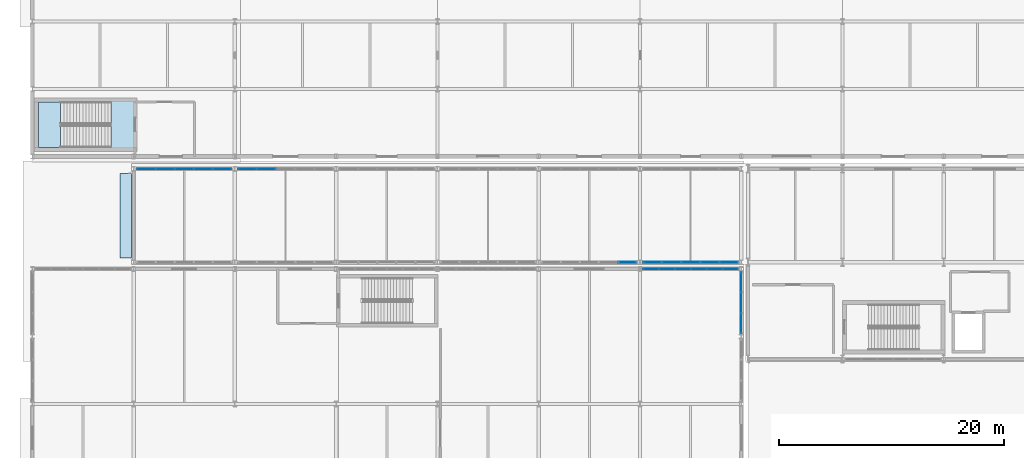
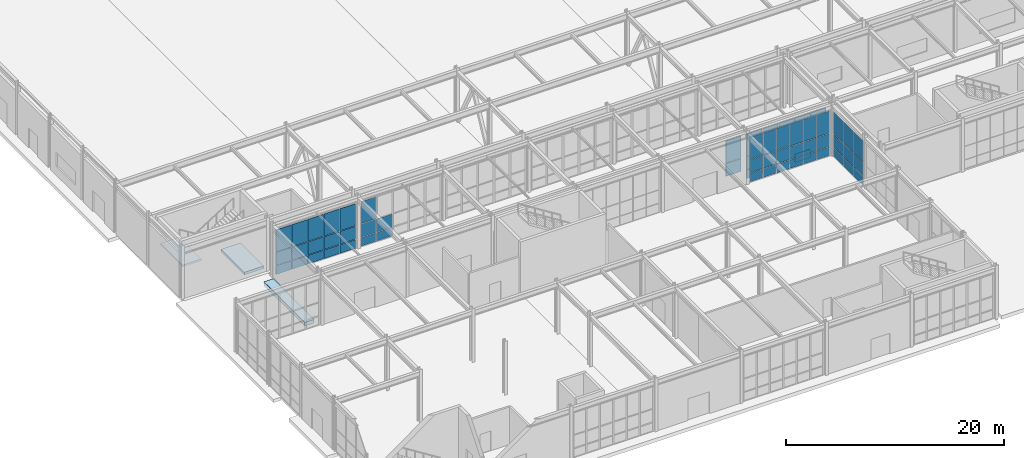
# One storey, part 105 of 146: 64 plates, 3 slabs, 7 elements without a shape of their own.
"""IFC4 building model written with IfcOpenShell, lengths in metres."""

from ifc_helpers import new_model, si_unit, direction, frame, origin, origin_2d, place, context, subcontext, project, spatial, polyline, rectangle, outline, extrude, material, layer, layer_set, type_object, element, aggregate, save


model = new_model("IFC4")

# Units and contexts
model_context = context("Model", 3, precision=1e-05, world=origin(), true_north=direction((0.0, 1.0)))
body_context = subcontext(model_context, "Body", "Model", "MODEL_VIEW")
ifc_project = project(units=[si_unit("LENGTHUNIT", "METRE"), si_unit("AREAUNIT", "SQUARE_METRE"), si_unit("VOLUMEUNIT", "CUBIC_METRE"), si_unit("PLANEANGLEUNIT", "RADIAN"), si_unit("MASSUNIT", "GRAM", prefix="KILO")], contexts=[model_context])

# Site, building, storey
site_placement = place(None, origin())
site = spatial("IfcSite", under=ifc_project, at=site_placement, CompositionType="ELEMENT")
building_placement = place(site_placement, origin())
building = spatial("IfcBuilding", under=site, at=building_placement, Name="Kaldris Quays Convention Centre", CompositionType="ELEMENT")
storey_placement = place(building_placement, origin())
storey = spatial("IfcBuildingStorey", under=building, at=storey_placement, Name="L00", CompositionType="ELEMENT", Elevation=0.0)

# Curtain wall, plates
ifc_material_1 = material(Name="Anodized aluminium AW-6060 and triple glazing", Category="aluminium")
curtain_wall_type_1 = type_object("IfcCurtainWallType", Name="UNITISED CURTAIN WALL CW02", PredefinedType="NOTDEFINED", material=ifc_material_1)
curtain_wall_1_placement = place(storey_placement, origin())
curtain_wall_1 = element("IfcCurtainWall", 1, at=curtain_wall_1_placement, inside=storey, type_object=curtain_wall_type_1, Name="L00 Unitised Curtain Wall CW02 81", PredefinedType="NOTDEFINED")
ifc_material_2 = material(Name="Triple low-E insulated glazing", Category="glass")
plate_type_1 = type_object("IfcPlateType", Name="CURTAIN GLAZING PANEL CWP1", PredefinedType="CURTAIN_PANEL", material=ifc_material_2)
plate_1_placement = place(storey_placement, frame((39.114990234375, 54.89990234375, 0.06005859375), z_axis=(0.0, 0.0, 1.0), x_axis=(1.0, 0.0, 0.0)))
plate_1 = element("IfcPlate", 2, at=plate_1_placement, type_object=plate_type_1, Name="CW02 panel 1.1", PredefinedType="CURTAIN_PANEL", context=body_context, shape_type="SweptSolid", body=[
    extrude(rectangle(XDim=1.610107421875, YDim=0.029052734375, at=origin_2d()), origin(), (0.0, 0.0, 1.0), 0.9599609375),
])
plate_2_placement = place(storey_placement, frame((39.114990234375, 54.89990234375, 1.080078125), z_axis=(0.0, 0.0, 1.0), x_axis=(1.0, 0.0, 0.0)))
plate_2 = element("IfcPlate", 3, at=plate_2_placement, type_object=plate_type_1, Name="CW02 panel 1.2", PredefinedType="CURTAIN_PANEL", context=body_context, shape_type="SweptSolid", body=[
    extrude(rectangle(XDim=1.610107421875, YDim=0.029052734375, at=origin_2d()), origin(), (0.0, 0.0, 1.0), 1.43994140625),
])
plate_3_placement = place(storey_placement, frame((39.114990234375, 54.89990234375, 2.580078125), z_axis=(0.0, 0.0, 1.0), x_axis=(1.0, 0.0, 0.0)))
plate_3 = element("IfcPlate", 4, at=plate_3_placement, type_object=plate_type_1, Name="CW02 panel 1.3", PredefinedType="CURTAIN_PANEL", context=body_context, shape_type="SweptSolid", body=[
    extrude(rectangle(XDim=1.610107421875, YDim=0.029052734375, at=origin_2d()), origin(), (0.0, 0.0, 1.0), 2.4599609375),
])
plate_4_placement = place(storey_placement, frame((40.800048828125, 54.89990234375, 0.06005859375), z_axis=(0.0, 0.0, 1.0), x_axis=(1.0, 0.0, 0.0)))
plate_4 = element("IfcPlate", 5, at=plate_4_placement, type_object=plate_type_1, Name="CW02 panel 2.1", PredefinedType="CURTAIN_PANEL", context=body_context, shape_type="SweptSolid", body=[
    extrude(rectangle(XDim=1.639892578125, YDim=0.029052734375, at=origin_2d()), origin(), (0.0, 0.0, 1.0), 0.9599609375),
])
plate_5_placement = place(storey_placement, frame((40.800048828125, 54.89990234375, 1.080078125), z_axis=(0.0, 0.0, 1.0), x_axis=(1.0, 0.0, 0.0)))
plate_5 = element("IfcPlate", 6, at=plate_5_placement, type_object=plate_type_1, Name="CW02 panel 2.2", PredefinedType="CURTAIN_PANEL", context=body_context, shape_type="SweptSolid", body=[
    extrude(rectangle(XDim=1.639892578125, YDim=0.029052734375, at=origin_2d()), origin(), (0.0, 0.0, 1.0), 1.43994140625),
])
aggregate(curtain_wall_1, [plate_1, plate_2, plate_3, plate_4, plate_5])

curtain_wall_type_2 = type_object("IfcCurtainWallType", Name="UNITISED CURTAIN WALL CW01", PredefinedType="NOTDEFINED", material=ifc_material_1)
curtain_wall_2_placement = place(storey_placement, origin())
curtain_wall_2 = element("IfcCurtainWall", 7, at=curtain_wall_2_placement, inside=storey, type_object=curtain_wall_type_2, Name="L00 Unitised Curtain Wall CW01 50", PredefinedType="NOTDEFINED")
plate_type_2 = type_object("IfcPlateType", Name="CURTAIN GLAZING PANEL CWP2", PredefinedType="CURTAIN_PANEL", material=ifc_material_2)
plate_6_placement = place(storey_placement, frame((74.973388671875, 46.0, 0.06005859375), z_axis=(0.0, 0.0, 1.0), x_axis=(1.0, 0.0, 0.0)))
plate_6 = element("IfcPlate", 8, at=plate_6_placement, type_object=plate_type_2, Name="CW01 panel 1.1", PredefinedType="CURTAIN_PANEL", context=body_context, shape_type="SweptSolid", body=[
    extrude(rectangle(XDim=1.32666015625, YDim=0.033935546875, at=origin_2d()), origin(), (0.0, 0.0, 1.0), 0.9599609375),
])
plate_7_placement = place(storey_placement, frame((74.973388671875, 46.0, 1.080078125), z_axis=(0.0, 0.0, 1.0), x_axis=(1.0, 0.0, 0.0)))
plate_7 = element("IfcPlate", 9, at=plate_7_placement, type_object=plate_type_2, Name="CW01 panel 1.2", PredefinedType="CURTAIN_PANEL", context=body_context, shape_type="SweptSolid", body=[
    extrude(rectangle(XDim=1.32666015625, YDim=0.033935546875, at=origin_2d()), origin(), (0.0, 0.0, 1.0), 1.43896484375),
])
plate_8_placement = place(storey_placement, frame((74.973388671875, 46.0, 2.5791015625), z_axis=(0.0, 0.0, 1.0), x_axis=(1.0, 0.0, 0.0)))
plate_8 = element("IfcPlate", 10, at=plate_8_placement, type_object=plate_type_2, Name="CW01 panel 1.3", PredefinedType="CURTAIN_PANEL", context=body_context, shape_type="SweptSolid", body=[
    extrude(rectangle(XDim=1.32666015625, YDim=0.033935546875, at=origin_2d()), origin(), (0.0, 0.0, 1.0), 2.458984375),
])
plate_9_placement = place(storey_placement, frame((76.375, 46.0, 0.06005859375), z_axis=(0.0, 0.0, 1.0), x_axis=(1.0, 0.0, 0.0)))
plate_9 = element("IfcPlate", 11, at=plate_9_placement, type_object=plate_type_2, Name="CW01 panel 2.1", PredefinedType="CURTAIN_PANEL", context=body_context, shape_type="SweptSolid", body=[
    extrude(rectangle(XDim=1.356689453125, YDim=0.033935546875, at=origin_2d()), origin(), (0.0, 0.0, 1.0), 0.9599609375),
])
plate_10_placement = place(storey_placement, frame((76.375, 46.0, 1.080078125), z_axis=(0.0, 0.0, 1.0), x_axis=(1.0, 0.0, 0.0)))
plate_10 = element("IfcPlate", 12, at=plate_10_placement, type_object=plate_type_2, Name="CW01 panel 2.2", PredefinedType="CURTAIN_PANEL", context=body_context, shape_type="SweptSolid", body=[
    extrude(rectangle(XDim=1.356689453125, YDim=0.033935546875, at=origin_2d()), origin(), (0.0, 0.0, 1.0), 1.43896484375),
])
plate_11_placement = place(storey_placement, frame((76.375, 46.0, 2.5791015625), z_axis=(0.0, 0.0, 1.0), x_axis=(1.0, 0.0, 0.0)))
plate_11 = element("IfcPlate", 13, at=plate_11_placement, type_object=plate_type_2, Name="CW01 panel 2.3", PredefinedType="CURTAIN_PANEL", context=body_context, shape_type="SweptSolid", body=[
    extrude(rectangle(XDim=1.356689453125, YDim=0.033935546875, at=origin_2d()), origin(), (0.0, 0.0, 1.0), 2.458984375),
])
plate_12_placement = place(storey_placement, frame((77.791748046875, 46.0, 0.06005859375), z_axis=(0.0, 0.0, 1.0), x_axis=(1.0, 0.0, 0.0)))
plate_12 = element("IfcPlate", 14, at=plate_12_placement, type_object=plate_type_2, Name="CW01 panel 3.1", PredefinedType="CURTAIN_PANEL", context=body_context, shape_type="SweptSolid", body=[
    extrude(rectangle(XDim=1.356689453125, YDim=0.033935546875, at=origin_2d()), origin(), (0.0, 0.0, 1.0), 0.9599609375),
])
plate_13_placement = place(storey_placement, frame((77.791748046875, 46.0, 1.080078125), z_axis=(0.0, 0.0, 1.0), x_axis=(1.0, 0.0, 0.0)))
plate_13 = element("IfcPlate", 15, at=plate_13_placement, type_object=plate_type_2, Name="CW01 panel 3.2", PredefinedType="CURTAIN_PANEL", context=body_context, shape_type="SweptSolid", body=[
    extrude(rectangle(XDim=1.356689453125, YDim=0.033935546875, at=origin_2d()), origin(), (0.0, 0.0, 1.0), 1.43896484375),
])
plate_14_placement = place(storey_placement, frame((77.791748046875, 46.0, 2.5791015625), z_axis=(0.0, 0.0, 1.0), x_axis=(1.0, 0.0, 0.0)))
plate_14 = element("IfcPlate", 16, at=plate_14_placement, type_object=plate_type_2, Name="CW01 panel 3.3", PredefinedType="CURTAIN_PANEL", context=body_context, shape_type="SweptSolid", body=[
    extrude(rectangle(XDim=1.356689453125, YDim=0.033935546875, at=origin_2d()), origin(), (0.0, 0.0, 1.0), 2.458984375),
])
plate_15_placement = place(storey_placement, frame((79.208251953125, 46.0, 0.06005859375), z_axis=(0.0, 0.0, 1.0), x_axis=(1.0, 0.0, 0.0)))
plate_15 = element("IfcPlate", 17, at=plate_15_placement, type_object=plate_type_2, Name="CW01 panel 4.1", PredefinedType="CURTAIN_PANEL", context=body_context, shape_type="SweptSolid", body=[
    extrude(rectangle(XDim=1.356689453125, YDim=0.033935546875, at=origin_2d()), origin(), (0.0, 0.0, 1.0), 0.9599609375),
])
plate_16_placement = place(storey_placement, frame((79.208251953125, 46.0, 1.080078125), z_axis=(0.0, 0.0, 1.0), x_axis=(1.0, 0.0, 0.0)))
plate_16 = element("IfcPlate", 18, at=plate_16_placement, type_object=plate_type_2, Name="CW01 panel 4.2", PredefinedType="CURTAIN_PANEL", context=body_context, shape_type="SweptSolid", body=[
    extrude(rectangle(XDim=1.356689453125, YDim=0.033935546875, at=origin_2d()), origin(), (0.0, 0.0, 1.0), 1.43896484375),
])
plate_17_placement = place(storey_placement, frame((79.208251953125, 46.0, 2.5791015625), z_axis=(0.0, 0.0, 1.0), x_axis=(1.0, 0.0, 0.0)))
plate_17 = element("IfcPlate", 19, at=plate_17_placement, type_object=plate_type_2, Name="CW01 panel 4.3", PredefinedType="CURTAIN_PANEL", context=body_context, shape_type="SweptSolid", body=[
    extrude(rectangle(XDim=1.356689453125, YDim=0.033935546875, at=origin_2d()), origin(), (0.0, 0.0, 1.0), 2.458984375),
])
plate_18_placement = place(storey_placement, frame((80.625, 46.0, 0.06005859375), z_axis=(0.0, 0.0, 1.0), x_axis=(1.0, 0.0, 0.0)))
plate_18 = element("IfcPlate", 20, at=plate_18_placement, type_object=plate_type_2, Name="CW01 panel 5.1", PredefinedType="CURTAIN_PANEL", context=body_context, shape_type="SweptSolid", body=[
    extrude(rectangle(XDim=1.356689453125, YDim=0.033935546875, at=origin_2d()), origin(), (0.0, 0.0, 1.0), 0.9599609375),
])
plate_19_placement = place(storey_placement, frame((80.625, 46.0, 1.080078125), z_axis=(0.0, 0.0, 1.0), x_axis=(1.0, 0.0, 0.0)))
plate_19 = element("IfcPlate", 21, at=plate_19_placement, type_object=plate_type_2, Name="CW01 panel 5.2", PredefinedType="CURTAIN_PANEL", context=body_context, shape_type="SweptSolid", body=[
    extrude(rectangle(XDim=1.356689453125, YDim=0.033935546875, at=origin_2d()), origin(), (0.0, 0.0, 1.0), 1.43896484375),
])
plate_20_placement = place(storey_placement, frame((80.625, 46.0, 2.5791015625), z_axis=(0.0, 0.0, 1.0), x_axis=(1.0, 0.0, 0.0)))
plate_20 = element("IfcPlate", 22, at=plate_20_placement, type_object=plate_type_2, Name="CW01 panel 5.3", PredefinedType="CURTAIN_PANEL", context=body_context, shape_type="SweptSolid", body=[
    extrude(rectangle(XDim=1.356689453125, YDim=0.033935546875, at=origin_2d()), origin(), (0.0, 0.0, 1.0), 2.458984375),
])
plate_21_placement = place(storey_placement, frame((82.026611328125, 46.0, 0.06005859375), z_axis=(0.0, 0.0, 1.0), x_axis=(1.0, 0.0, 0.0)))
plate_21 = element("IfcPlate", 23, at=plate_21_placement, type_object=plate_type_2, Name="CW01 panel 6.1", PredefinedType="CURTAIN_PANEL", context=body_context, shape_type="SweptSolid", body=[
    extrude(rectangle(XDim=1.32666015625, YDim=0.033935546875, at=origin_2d()), origin(), (0.0, 0.0, 1.0), 0.9599609375),
])
plate_22_placement = place(storey_placement, frame((82.026611328125, 46.0, 1.080078125), z_axis=(0.0, 0.0, 1.0), x_axis=(1.0, 0.0, 0.0)))
plate_22 = element("IfcPlate", 24, at=plate_22_placement, type_object=plate_type_2, Name="CW01 panel 6.2", PredefinedType="CURTAIN_PANEL", context=body_context, shape_type="SweptSolid", body=[
    extrude(rectangle(XDim=1.32666015625, YDim=0.033935546875, at=origin_2d()), origin(), (0.0, 0.0, 1.0), 1.43896484375),
])
plate_23_placement = place(storey_placement, frame((82.026611328125, 46.0, 2.5791015625), z_axis=(0.0, 0.0, 1.0), x_axis=(1.0, 0.0, 0.0)))
plate_23 = element("IfcPlate", 25, at=plate_23_placement, type_object=plate_type_2, Name="CW01 panel 6.3", PredefinedType="CURTAIN_PANEL", context=body_context, shape_type="SweptSolid", body=[
    extrude(rectangle(XDim=1.32666015625, YDim=0.033935546875, at=origin_2d()), origin(), (0.0, 0.0, 1.0), 2.458984375),
])
aggregate(curtain_wall_2, [plate_6, plate_7, plate_8, plate_9, plate_10, plate_11, plate_12, plate_13, plate_14, plate_15, plate_16, plate_17, plate_18, plate_19, plate_20, plate_21, plate_22, plate_23])

curtain_wall_type_3 = type_object("IfcCurtainWallType", Name="UNITISED CURTAIN WALL CW05", PredefinedType="NOTDEFINED", material=ifc_material_1)
curtain_wall_3_placement = place(storey_placement, origin())
curtain_wall_3 = element("IfcCurtainWall", 26, at=curtain_wall_3_placement, inside=storey, type_object=curtain_wall_type_3, Name="L00 Unitised Curtain Wall CW05 58", PredefinedType="NOTDEFINED")
plate_24_placement = place(storey_placement, frame((83.0, 41.181640625, 0.06005859375), z_axis=(0.0, 0.0, 1.0), x_axis=(0.0, 1.0, 0.0)))
plate_24 = element("IfcPlate", 27, at=plate_24_placement, type_object=plate_type_2, Name="CW05 panel 1.1", PredefinedType="CURTAIN_PANEL", context=body_context, shape_type="SweptSolid", body=[
    extrude(rectangle(XDim=1.743408203125, YDim=0.033935546875, at=origin_2d()), origin(), (0.0, 0.0, 1.0), 0.9599609375),
])
plate_25_placement = place(storey_placement, frame((83.0, 41.181640625, 1.080078125), z_axis=(0.0, 0.0, 1.0), x_axis=(0.0, 1.0, 0.0)))
plate_25 = element("IfcPlate", 28, at=plate_25_placement, type_object=plate_type_2, Name="CW05 panel 1.2", PredefinedType="CURTAIN_PANEL", context=body_context, shape_type="SweptSolid", body=[
    extrude(rectangle(XDim=1.743408203125, YDim=0.033935546875, at=origin_2d()), origin(), (0.0, 0.0, 1.0), 1.43896484375),
])
plate_26_placement = place(storey_placement, frame((83.0, 41.181640625, 2.5791015625), z_axis=(0.0, 0.0, 1.0), x_axis=(0.0, 1.0, 0.0)))
plate_26 = element("IfcPlate", 29, at=plate_26_placement, type_object=plate_type_2, Name="CW05 panel 1.3", PredefinedType="CURTAIN_PANEL", context=body_context, shape_type="SweptSolid", body=[
    extrude(rectangle(XDim=1.743408203125, YDim=0.033935546875, at=origin_2d()), origin(), (0.0, 0.0, 1.0), 2.458984375),
])
plate_27_placement = place(storey_placement, frame((83.0, 43.0, 0.06005859375), z_axis=(0.0, 0.0, 1.0), x_axis=(0.0, 1.0, 0.0)))
plate_27 = element("IfcPlate", 30, at=plate_27_placement, type_object=plate_type_2, Name="CW05 panel 2.1", PredefinedType="CURTAIN_PANEL", context=body_context, shape_type="SweptSolid", body=[
    extrude(rectangle(XDim=1.7734375, YDim=0.033935546875, at=origin_2d()), origin(), (0.0, 0.0, 1.0), 0.9599609375),
])
plate_28_placement = place(storey_placement, frame((83.0, 43.0, 1.080078125), z_axis=(0.0, 0.0, 1.0), x_axis=(0.0, 1.0, 0.0)))
plate_28 = element("IfcPlate", 31, at=plate_28_placement, type_object=plate_type_2, Name="CW05 panel 2.2", PredefinedType="CURTAIN_PANEL", context=body_context, shape_type="SweptSolid", body=[
    extrude(rectangle(XDim=1.7734375, YDim=0.033935546875, at=origin_2d()), origin(), (0.0, 0.0, 1.0), 1.43896484375),
])
plate_29_placement = place(storey_placement, frame((83.0, 43.0, 2.5791015625), z_axis=(0.0, 0.0, 1.0), x_axis=(0.0, 1.0, 0.0)))
plate_29 = element("IfcPlate", 32, at=plate_29_placement, type_object=plate_type_2, Name="CW05 panel 2.3", PredefinedType="CURTAIN_PANEL", context=body_context, shape_type="SweptSolid", body=[
    extrude(rectangle(XDim=1.7734375, YDim=0.033935546875, at=origin_2d()), origin(), (0.0, 0.0, 1.0), 2.458984375),
])
plate_30_placement = place(storey_placement, frame((83.0, 44.818359375, 0.06005859375), z_axis=(0.0, 0.0, 1.0), x_axis=(0.0, 1.0, 0.0)))
plate_30 = element("IfcPlate", 33, at=plate_30_placement, type_object=plate_type_2, Name="CW05 panel 3.1", PredefinedType="CURTAIN_PANEL", context=body_context, shape_type="SweptSolid", body=[
    extrude(rectangle(XDim=1.743408203125, YDim=0.033935546875, at=origin_2d()), origin(), (0.0, 0.0, 1.0), 0.9599609375),
])
plate_31_placement = place(storey_placement, frame((83.0, 44.818359375, 1.080078125), z_axis=(0.0, 0.0, 1.0), x_axis=(0.0, 1.0, 0.0)))
plate_31 = element("IfcPlate", 34, at=plate_31_placement, type_object=plate_type_2, Name="CW05 panel 3.2", PredefinedType="CURTAIN_PANEL", context=body_context, shape_type="SweptSolid", body=[
    extrude(rectangle(XDim=1.743408203125, YDim=0.033935546875, at=origin_2d()), origin(), (0.0, 0.0, 1.0), 1.43896484375),
])
plate_32_placement = place(storey_placement, frame((83.0, 44.818359375, 2.5791015625), z_axis=(0.0, 0.0, 1.0), x_axis=(0.0, 1.0, 0.0)))
plate_32 = element("IfcPlate", 35, at=plate_32_placement, type_object=plate_type_2, Name="CW05 panel 3.3", PredefinedType="CURTAIN_PANEL", context=body_context, shape_type="SweptSolid", body=[
    extrude(rectangle(XDim=1.743408203125, YDim=0.033935546875, at=origin_2d()), origin(), (0.0, 0.0, 1.0), 2.458984375),
])
aggregate(curtain_wall_3, [plate_24, plate_25, plate_26, plate_27, plate_28, plate_29, plate_30, plate_31, plate_32])

curtain_wall_4_placement = place(storey_placement, origin())
curtain_wall_4 = element("IfcCurtainWall", 36, at=curtain_wall_4_placement, inside=storey, type_object=curtain_wall_type_1, Name="L00 Unitised Curtain Wall CW02 86", PredefinedType="NOTDEFINED")
plate_type_3 = type_object("IfcPlateType", Name="CURTAIN GLAZING PANEL CWP6", PredefinedType="CURTAIN_PANEL", material=ifc_material_2)
plate_33_placement = place(storey_placement, frame((72.885009765625, 46.60009765625, 1.080078125), z_axis=(0.0, 0.0, 1.0), x_axis=(1.0, 0.0, 0.0)))
plate_33 = element("IfcPlate", 37, at=plate_33_placement, type_object=plate_type_3, Name="CW02 panel 5.2", PredefinedType="CURTAIN_PANEL", context=body_context, shape_type="SweptSolid", body=[
    extrude(rectangle(XDim=1.610107421875, YDim=0.053955078125, at=origin_2d()), origin(), (0.0, 0.0, 1.0), 1.43994140625),
])
plate_34_placement = place(storey_placement, frame((72.885009765625, 46.60009765625, 2.580078125), z_axis=(0.0, 0.0, 1.0), x_axis=(1.0, 0.0, 0.0)))
plate_34 = element("IfcPlate", 38, at=plate_34_placement, type_object=plate_type_3, Name="CW02 panel 5.3", PredefinedType="CURTAIN_PANEL", context=body_context, shape_type="SweptSolid", body=[
    extrude(rectangle(XDim=1.610107421875, YDim=0.053955078125, at=origin_2d()), origin(), (0.0, 0.0, 1.0), 2.4599609375),
])
aggregate(curtain_wall_4, [plate_33, plate_34])

curtain_wall_5_placement = place(storey_placement, origin())
curtain_wall_5 = element("IfcCurtainWall", 39, at=curtain_wall_5_placement, inside=storey, type_object=curtain_wall_type_1, Name="L00 Unitised Curtain Wall CW02 79", PredefinedType="NOTDEFINED")
plate_type_4 = type_object("IfcPlateType", Name="CURTAIN GLAZING PANEL CWP7", PredefinedType="CURTAIN_PANEL", material=ifc_material_2)
plate_35_placement = place(storey_placement, frame((30.114990234375, 54.89990234375, 0.06005859375), z_axis=(0.0, 0.0, 1.0), x_axis=(1.0, 0.0, 0.0)))
plate_35 = element("IfcPlate", 40, at=plate_35_placement, type_object=plate_type_4, Name="CW02 panel 1.1", PredefinedType="CURTAIN_PANEL", context=body_context, shape_type="SweptSolid", body=[
    extrude(rectangle(XDim=1.610107421875, YDim=0.05908203125, at=origin_2d()), origin(), (0.0, 0.0, 1.0), 0.9599609375),
])
plate_36_placement = place(storey_placement, frame((30.114990234375, 54.89990234375, 1.080078125), z_axis=(0.0, 0.0, 1.0), x_axis=(1.0, 0.0, 0.0)))
plate_36 = element("IfcPlate", 41, at=plate_36_placement, type_object=plate_type_4, Name="CW02 panel 1.2", PredefinedType="CURTAIN_PANEL", context=body_context, shape_type="SweptSolid", body=[
    extrude(rectangle(XDim=1.610107421875, YDim=0.05908203125, at=origin_2d()), origin(), (0.0, 0.0, 1.0), 1.43994140625),
])
plate_37_placement = place(storey_placement, frame((30.114990234375, 54.89990234375, 2.580078125), z_axis=(0.0, 0.0, 1.0), x_axis=(1.0, 0.0, 0.0)))
plate_37 = element("IfcPlate", 42, at=plate_37_placement, type_object=plate_type_4, Name="CW02 panel 1.3", PredefinedType="CURTAIN_PANEL", context=body_context, shape_type="SweptSolid", body=[
    extrude(rectangle(XDim=1.610107421875, YDim=0.05908203125, at=origin_2d()), origin(), (0.0, 0.0, 1.0), 2.4599609375),
])
plate_38_placement = place(storey_placement, frame((31.800048828125, 54.89990234375, 0.06005859375), z_axis=(0.0, 0.0, 1.0), x_axis=(1.0, 0.0, 0.0)))
plate_38 = element("IfcPlate", 43, at=plate_38_placement, type_object=plate_type_4, Name="CW02 panel 2.1", PredefinedType="CURTAIN_PANEL", context=body_context, shape_type="SweptSolid", body=[
    extrude(rectangle(XDim=1.639892578125, YDim=0.05908203125, at=origin_2d()), origin(), (0.0, 0.0, 1.0), 0.9599609375),
])
plate_39_placement = place(storey_placement, frame((31.800048828125, 54.89990234375, 1.080078125), z_axis=(0.0, 0.0, 1.0), x_axis=(1.0, 0.0, 0.0)))
plate_39 = element("IfcPlate", 44, at=plate_39_placement, type_object=plate_type_4, Name="CW02 panel 2.2", PredefinedType="CURTAIN_PANEL", context=body_context, shape_type="SweptSolid", body=[
    extrude(rectangle(XDim=1.639892578125, YDim=0.05908203125, at=origin_2d()), origin(), (0.0, 0.0, 1.0), 1.43994140625),
])
plate_40_placement = place(storey_placement, frame((31.800048828125, 54.89990234375, 2.580078125), z_axis=(0.0, 0.0, 1.0), x_axis=(1.0, 0.0, 0.0)))
plate_40 = element("IfcPlate", 45, at=plate_40_placement, type_object=plate_type_4, Name="CW02 panel 2.3", PredefinedType="CURTAIN_PANEL", context=body_context, shape_type="SweptSolid", body=[
    extrude(rectangle(XDim=1.639892578125, YDim=0.05908203125, at=origin_2d()), origin(), (0.0, 0.0, 1.0), 2.4599609375),
])
plate_41_placement = place(storey_placement, frame((33.5, 54.89990234375, 0.06005859375), z_axis=(0.0, 0.0, 1.0), x_axis=(1.0, 0.0, 0.0)))
plate_41 = element("IfcPlate", 46, at=plate_41_placement, type_object=plate_type_4, Name="CW02 panel 3.1", PredefinedType="CURTAIN_PANEL", context=body_context, shape_type="SweptSolid", body=[
    extrude(rectangle(XDim=1.639892578125, YDim=0.05908203125, at=origin_2d()), origin(), (0.0, 0.0, 1.0), 0.9599609375),
])
plate_42_placement = place(storey_placement, frame((33.5, 54.89990234375, 1.080078125), z_axis=(0.0, 0.0, 1.0), x_axis=(1.0, 0.0, 0.0)))
plate_42 = element("IfcPlate", 47, at=plate_42_placement, type_object=plate_type_4, Name="CW02 panel 3.2", PredefinedType="CURTAIN_PANEL", context=body_context, shape_type="SweptSolid", body=[
    extrude(rectangle(XDim=1.639892578125, YDim=0.05908203125, at=origin_2d()), origin(), (0.0, 0.0, 1.0), 1.43994140625),
])
plate_43_placement = place(storey_placement, frame((33.5, 54.89990234375, 2.580078125), z_axis=(0.0, 0.0, 1.0), x_axis=(1.0, 0.0, 0.0)))
plate_43 = element("IfcPlate", 48, at=plate_43_placement, type_object=plate_type_4, Name="CW02 panel 3.3", PredefinedType="CURTAIN_PANEL", context=body_context, shape_type="SweptSolid", body=[
    extrude(rectangle(XDim=1.639892578125, YDim=0.05908203125, at=origin_2d()), origin(), (0.0, 0.0, 1.0), 2.4599609375),
])
plate_44_placement = place(storey_placement, frame((35.199951171875, 54.89990234375, 0.06005859375), z_axis=(0.0, 0.0, 1.0), x_axis=(1.0, 0.0, 0.0)))
plate_44 = element("IfcPlate", 49, at=plate_44_placement, type_object=plate_type_4, Name="CW02 panel 4.1", PredefinedType="CURTAIN_PANEL", context=body_context, shape_type="SweptSolid", body=[
    extrude(rectangle(XDim=1.639892578125, YDim=0.05908203125, at=origin_2d()), origin(), (0.0, 0.0, 1.0), 0.9599609375),
])
plate_45_placement = place(storey_placement, frame((35.199951171875, 54.89990234375, 1.080078125), z_axis=(0.0, 0.0, 1.0), x_axis=(1.0, 0.0, 0.0)))
plate_45 = element("IfcPlate", 50, at=plate_45_placement, type_object=plate_type_4, Name="CW02 panel 4.2", PredefinedType="CURTAIN_PANEL", context=body_context, shape_type="SweptSolid", body=[
    extrude(rectangle(XDim=1.639892578125, YDim=0.05908203125, at=origin_2d()), origin(), (0.0, 0.0, 1.0), 1.43994140625),
])
plate_46_placement = place(storey_placement, frame((35.199951171875, 54.89990234375, 2.580078125), z_axis=(0.0, 0.0, 1.0), x_axis=(1.0, 0.0, 0.0)))
plate_46 = element("IfcPlate", 51, at=plate_46_placement, type_object=plate_type_4, Name="CW02 panel 4.3", PredefinedType="CURTAIN_PANEL", context=body_context, shape_type="SweptSolid", body=[
    extrude(rectangle(XDim=1.639892578125, YDim=0.05908203125, at=origin_2d()), origin(), (0.0, 0.0, 1.0), 2.4599609375),
])
plate_47_placement = place(storey_placement, frame((36.885009765625, 54.89990234375, 0.06005859375), z_axis=(0.0, 0.0, 1.0), x_axis=(1.0, 0.0, 0.0)))
plate_47 = element("IfcPlate", 52, at=plate_47_placement, type_object=plate_type_4, Name="CW02 panel 5.1", PredefinedType="CURTAIN_PANEL", context=body_context, shape_type="SweptSolid", body=[
    extrude(rectangle(XDim=1.610107421875, YDim=0.05908203125, at=origin_2d()), origin(), (0.0, 0.0, 1.0), 0.9599609375),
])
plate_48_placement = place(storey_placement, frame((36.885009765625, 54.89990234375, 1.080078125), z_axis=(0.0, 0.0, 1.0), x_axis=(1.0, 0.0, 0.0)))
plate_48 = element("IfcPlate", 53, at=plate_48_placement, type_object=plate_type_4, Name="CW02 panel 5.2", PredefinedType="CURTAIN_PANEL", context=body_context, shape_type="SweptSolid", body=[
    extrude(rectangle(XDim=1.610107421875, YDim=0.05908203125, at=origin_2d()), origin(), (0.0, 0.0, 1.0), 1.43994140625),
])
plate_49_placement = place(storey_placement, frame((36.885009765625, 54.89990234375, 2.580078125), z_axis=(0.0, 0.0, 1.0), x_axis=(1.0, 0.0, 0.0)))
plate_49 = element("IfcPlate", 54, at=plate_49_placement, type_object=plate_type_4, Name="CW02 panel 5.3", PredefinedType="CURTAIN_PANEL", context=body_context, shape_type="SweptSolid", body=[
    extrude(rectangle(XDim=1.610107421875, YDim=0.05908203125, at=origin_2d()), origin(), (0.0, 0.0, 1.0), 2.4599609375),
])
aggregate(curtain_wall_5, [plate_35, plate_36, plate_37, plate_38, plate_39, plate_40, plate_41, plate_42, plate_43, plate_44, plate_45, plate_46, plate_47, plate_48, plate_49])

curtain_wall_6_placement = place(storey_placement, origin())
curtain_wall_6 = element("IfcCurtainWall", 55, at=curtain_wall_6_placement, inside=storey, type_object=curtain_wall_type_1, Name="L00 Unitised Curtain Wall CW02 88", PredefinedType="NOTDEFINED")
plate_type_5 = type_object("IfcPlateType", Name="CURTAIN GLAZING PANEL CWP8", PredefinedType="CURTAIN_PANEL", material=ifc_material_2)
plate_50_placement = place(storey_placement, frame((75.114990234375, 46.60009765625, 0.06005859375), z_axis=(0.0, 0.0, 1.0), x_axis=(1.0, 0.0, 0.0)))
plate_50 = element("IfcPlate", 56, at=plate_50_placement, type_object=plate_type_5, Name="CW02 panel 1.1", PredefinedType="CURTAIN_PANEL", context=body_context, shape_type="SweptSolid", body=[
    extrude(rectangle(XDim=1.610107421875, YDim=0.06396484375, at=origin_2d()), origin(), (0.0, 0.0, 1.0), 0.9599609375),
])
plate_51_placement = place(storey_placement, frame((75.114990234375, 46.60009765625, 1.080078125), z_axis=(0.0, 0.0, 1.0), x_axis=(1.0, 0.0, 0.0)))
plate_51 = element("IfcPlate", 57, at=plate_51_placement, type_object=plate_type_5, Name="CW02 panel 1.2", PredefinedType="CURTAIN_PANEL", context=body_context, shape_type="SweptSolid", body=[
    extrude(rectangle(XDim=1.610107421875, YDim=0.06396484375, at=origin_2d()), origin(), (0.0, 0.0, 1.0), 1.43994140625),
])
plate_52_placement = place(storey_placement, frame((75.114990234375, 46.60009765625, 2.580078125), z_axis=(0.0, 0.0, 1.0), x_axis=(1.0, 0.0, 0.0)))
plate_52 = element("IfcPlate", 58, at=plate_52_placement, type_object=plate_type_5, Name="CW02 panel 1.3", PredefinedType="CURTAIN_PANEL", context=body_context, shape_type="SweptSolid", body=[
    extrude(rectangle(XDim=1.610107421875, YDim=0.06396484375, at=origin_2d()), origin(), (0.0, 0.0, 1.0), 2.4599609375),
])
plate_53_placement = place(storey_placement, frame((76.800048828125, 46.60009765625, 0.06005859375), z_axis=(0.0, 0.0, 1.0), x_axis=(1.0, 0.0, 0.0)))
plate_53 = element("IfcPlate", 59, at=plate_53_placement, type_object=plate_type_5, Name="CW02 panel 2.1", PredefinedType="CURTAIN_PANEL", context=body_context, shape_type="SweptSolid", body=[
    extrude(rectangle(XDim=1.639892578125, YDim=0.06396484375, at=origin_2d()), origin(), (0.0, 0.0, 1.0), 0.9599609375),
])
plate_54_placement = place(storey_placement, frame((76.800048828125, 46.60009765625, 1.080078125), z_axis=(0.0, 0.0, 1.0), x_axis=(1.0, 0.0, 0.0)))
plate_54 = element("IfcPlate", 60, at=plate_54_placement, type_object=plate_type_5, Name="CW02 panel 2.2", PredefinedType="CURTAIN_PANEL", context=body_context, shape_type="SweptSolid", body=[
    extrude(rectangle(XDim=1.639892578125, YDim=0.06396484375, at=origin_2d()), origin(), (0.0, 0.0, 1.0), 1.43994140625),
])
plate_55_placement = place(storey_placement, frame((76.800048828125, 46.60009765625, 2.580078125), z_axis=(0.0, 0.0, 1.0), x_axis=(1.0, 0.0, 0.0)))
plate_55 = element("IfcPlate", 61, at=plate_55_placement, type_object=plate_type_5, Name="CW02 panel 2.3", PredefinedType="CURTAIN_PANEL", context=body_context, shape_type="SweptSolid", body=[
    extrude(rectangle(XDim=1.639892578125, YDim=0.06396484375, at=origin_2d()), origin(), (0.0, 0.0, 1.0), 2.4599609375),
])
plate_56_placement = place(storey_placement, frame((78.5, 46.60009765625, 0.06005859375), z_axis=(0.0, 0.0, 1.0), x_axis=(1.0, 0.0, 0.0)))
plate_56 = element("IfcPlate", 62, at=plate_56_placement, type_object=plate_type_5, Name="CW02 panel 3.1", PredefinedType="CURTAIN_PANEL", context=body_context, shape_type="SweptSolid", body=[
    extrude(rectangle(XDim=1.639892578125, YDim=0.06396484375, at=origin_2d()), origin(), (0.0, 0.0, 1.0), 0.9599609375),
])
plate_57_placement = place(storey_placement, frame((78.5, 46.60009765625, 1.080078125), z_axis=(0.0, 0.0, 1.0), x_axis=(1.0, 0.0, 0.0)))
plate_57 = element("IfcPlate", 63, at=plate_57_placement, type_object=plate_type_5, Name="CW02 panel 3.2", PredefinedType="CURTAIN_PANEL", context=body_context, shape_type="SweptSolid", body=[
    extrude(rectangle(XDim=1.639892578125, YDim=0.06396484375, at=origin_2d()), origin(), (0.0, 0.0, 1.0), 1.43994140625),
])
plate_58_placement = place(storey_placement, frame((78.5, 46.60009765625, 2.580078125), z_axis=(0.0, 0.0, 1.0), x_axis=(1.0, 0.0, 0.0)))
plate_58 = element("IfcPlate", 64, at=plate_58_placement, type_object=plate_type_5, Name="CW02 panel 3.3", PredefinedType="CURTAIN_PANEL", context=body_context, shape_type="SweptSolid", body=[
    extrude(rectangle(XDim=1.639892578125, YDim=0.06396484375, at=origin_2d()), origin(), (0.0, 0.0, 1.0), 2.4599609375),
])
plate_59_placement = place(storey_placement, frame((80.199951171875, 46.60009765625, 0.06005859375), z_axis=(0.0, 0.0, 1.0), x_axis=(1.0, 0.0, 0.0)))
plate_59 = element("IfcPlate", 65, at=plate_59_placement, type_object=plate_type_5, Name="CW02 panel 4.1", PredefinedType="CURTAIN_PANEL", context=body_context, shape_type="SweptSolid", body=[
    extrude(rectangle(XDim=1.639892578125, YDim=0.06396484375, at=origin_2d()), origin(), (0.0, 0.0, 1.0), 0.9599609375),
])
plate_60_placement = place(storey_placement, frame((80.199951171875, 46.60009765625, 1.080078125), z_axis=(0.0, 0.0, 1.0), x_axis=(1.0, 0.0, 0.0)))
plate_60 = element("IfcPlate", 66, at=plate_60_placement, type_object=plate_type_5, Name="CW02 panel 4.2", PredefinedType="CURTAIN_PANEL", context=body_context, shape_type="SweptSolid", body=[
    extrude(rectangle(XDim=1.639892578125, YDim=0.06396484375, at=origin_2d()), origin(), (0.0, 0.0, 1.0), 1.43994140625),
])
plate_61_placement = place(storey_placement, frame((80.199951171875, 46.60009765625, 2.580078125), z_axis=(0.0, 0.0, 1.0), x_axis=(1.0, 0.0, 0.0)))
plate_61 = element("IfcPlate", 67, at=plate_61_placement, type_object=plate_type_5, Name="CW02 panel 4.3", PredefinedType="CURTAIN_PANEL", context=body_context, shape_type="SweptSolid", body=[
    extrude(rectangle(XDim=1.639892578125, YDim=0.06396484375, at=origin_2d()), origin(), (0.0, 0.0, 1.0), 2.4599609375),
])
plate_62_placement = place(storey_placement, frame((81.885009765625, 46.60009765625, 0.06005859375), z_axis=(0.0, 0.0, 1.0), x_axis=(1.0, 0.0, 0.0)))
plate_62 = element("IfcPlate", 68, at=plate_62_placement, type_object=plate_type_5, Name="CW02 panel 5.1", PredefinedType="CURTAIN_PANEL", context=body_context, shape_type="SweptSolid", body=[
    extrude(rectangle(XDim=1.610107421875, YDim=0.06396484375, at=origin_2d()), origin(), (0.0, 0.0, 1.0), 0.9599609375),
])
plate_63_placement = place(storey_placement, frame((81.885009765625, 46.60009765625, 1.080078125), z_axis=(0.0, 0.0, 1.0), x_axis=(1.0, 0.0, 0.0)))
plate_63 = element("IfcPlate", 69, at=plate_63_placement, type_object=plate_type_5, Name="CW02 panel 5.2", PredefinedType="CURTAIN_PANEL", context=body_context, shape_type="SweptSolid", body=[
    extrude(rectangle(XDim=1.610107421875, YDim=0.06396484375, at=origin_2d()), origin(), (0.0, 0.0, 1.0), 1.43994140625),
])
plate_64_placement = place(storey_placement, frame((81.885009765625, 46.60009765625, 2.580078125), z_axis=(0.0, 0.0, 1.0), x_axis=(1.0, 0.0, 0.0)))
plate_64 = element("IfcPlate", 70, at=plate_64_placement, type_object=plate_type_5, Name="CW02 panel 5.3", PredefinedType="CURTAIN_PANEL", context=body_context, shape_type="SweptSolid", body=[
    extrude(rectangle(XDim=1.610107421875, YDim=0.06396484375, at=origin_2d()), origin(), (0.0, 0.0, 1.0), 2.4599609375),
])
aggregate(curtain_wall_6, [plate_50, plate_51, plate_52, plate_53, plate_54, plate_55, plate_56, plate_57, plate_58, plate_59, plate_60, plate_61, plate_62, plate_63, plate_64])

# Stair, slab
ifc_material_3 = material(Name="Concrete C35/45", Category="concrete")
stair_type = type_object("IfcStairType", Name="DOGLEG ESCAPE STAIR STF2", PredefinedType="TWO_STRAIGHT_RUN_STAIR", material=ifc_material_3)
stair_placement = place(storey_placement, origin())
stair = element("IfcStair", 71, at=stair_placement, inside=storey, type_object=stair_type, Name="L00 Escape Stair ST01", PredefinedType="TWO_STRAIGHT_RUN_STAIR")
ifc_layer_1 = layer(ifc_material_3, 0.205078125)
ifc_layer_set_1 = layer_set([ifc_layer_1], Name="Concrete C35/45")
slab_type_1 = type_object("IfcSlabType", Name="STAIR LANDING SLAB LS01", PredefinedType="LANDING", material=ifc_layer_set_1)
slab_1_placement = place(storey_placement, frame((0.0, 0.0, 2.794921875)))
slab_1 = element("IfcSlab", 72, at=slab_1_placement, type_object=slab_type_1, Name="STF2 landing 1", PredefinedType="LANDING", context=body_context, shape_type="SweptSolid", body=[
    extrude(outline(polyline([(22.52001953125, 60.85009765625), (20.550048828125, 60.85009765625), (20.550048828125, 56.800048828125), (22.52001953125, 56.800048828125), (22.52001953125, 60.85009765625)])), origin(), (0.0, 0.0, 1.0), 0.205078125),
])
aggregate(stair, [slab_1])

# Slabs
ifc_layer_2 = layer(ifc_material_3, 0.39990234375)
ifc_layer_set_2 = layer_set([ifc_layer_2], Name="Concrete C35/45")
slab_type_2 = type_object("IfcSlabType", Name="STRUCTURAL SLAB BS03", PredefinedType="BASESLAB", material=ifc_layer_set_2)
slab_2_placement = place(storey_placement, frame((0.0, 0.0, -0.39990234375)))
element("IfcSlab", 73, at=slab_2_placement, inside=storey, type_object=slab_type_2, Name="L00 Entrance Threshold Apron 1 SLAB-L00-THRESH-1", PredefinedType="BASESLAB", context=body_context, shape_type="SweptSolid", body=[
    extrude(outline(polyline([(27.800048828125, 47.0), (27.800048828125, 54.5), (28.798095703125, 54.5), (28.798095703125, 47.0), (27.800048828125, 47.0)])), origin(), (0.0, 0.0, 1.0), 0.39990234375),
])
ifc_layer_3 = layer(ifc_material_3, 0.27490234375)
ifc_layer_set_3 = layer_set([ifc_layer_3], Name="Concrete C35/45")
slab_type_3 = type_object("IfcSlabType", Name="STRUCTURAL SLAB FS05", PredefinedType="FLOOR", material=ifc_layer_set_3)
slab_3_placement = place(storey_placement, frame((0.0, 0.0, -0.27490234375)))
element("IfcSlab", 74, at=slab_3_placement, inside=storey, type_object=slab_type_3, Name="L00 ST01 Core Floor Landing Slab", PredefinedType="FLOOR", context=body_context, shape_type="SweptSolid", body=[
    extrude(outline(polyline([(29.070068359375, 60.969970703125), (27.0, 60.969970703125), (27.0, 56.679931640625), (29.070068359375, 56.679931640625), (29.070068359375, 60.969970703125)])), origin(), (0.0, 0.0, 1.0), 0.27490234375),
])

save(model, "model.ifc")
